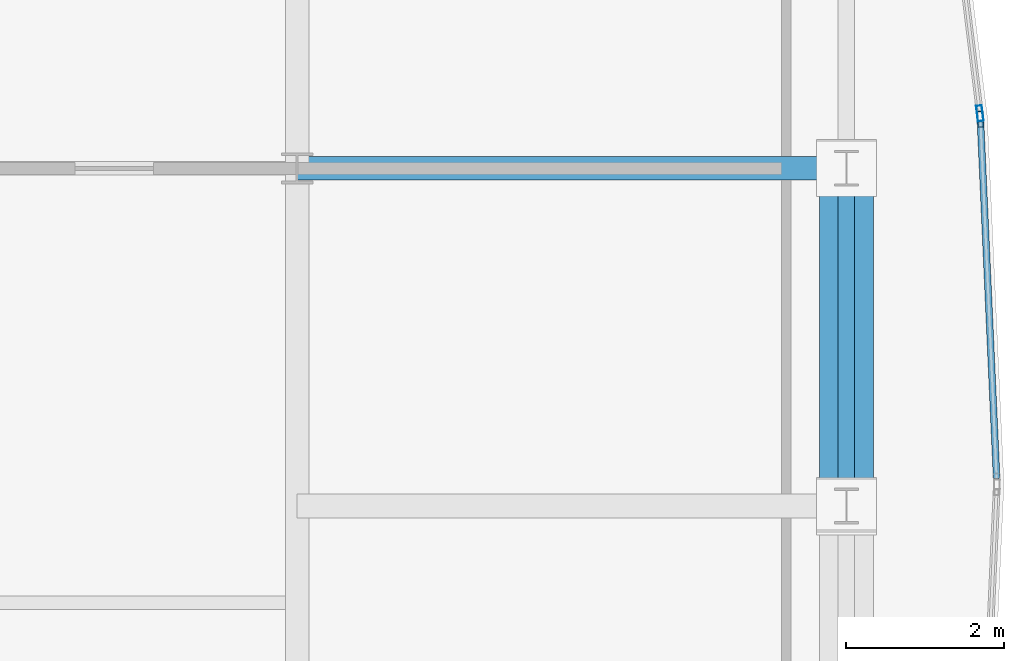
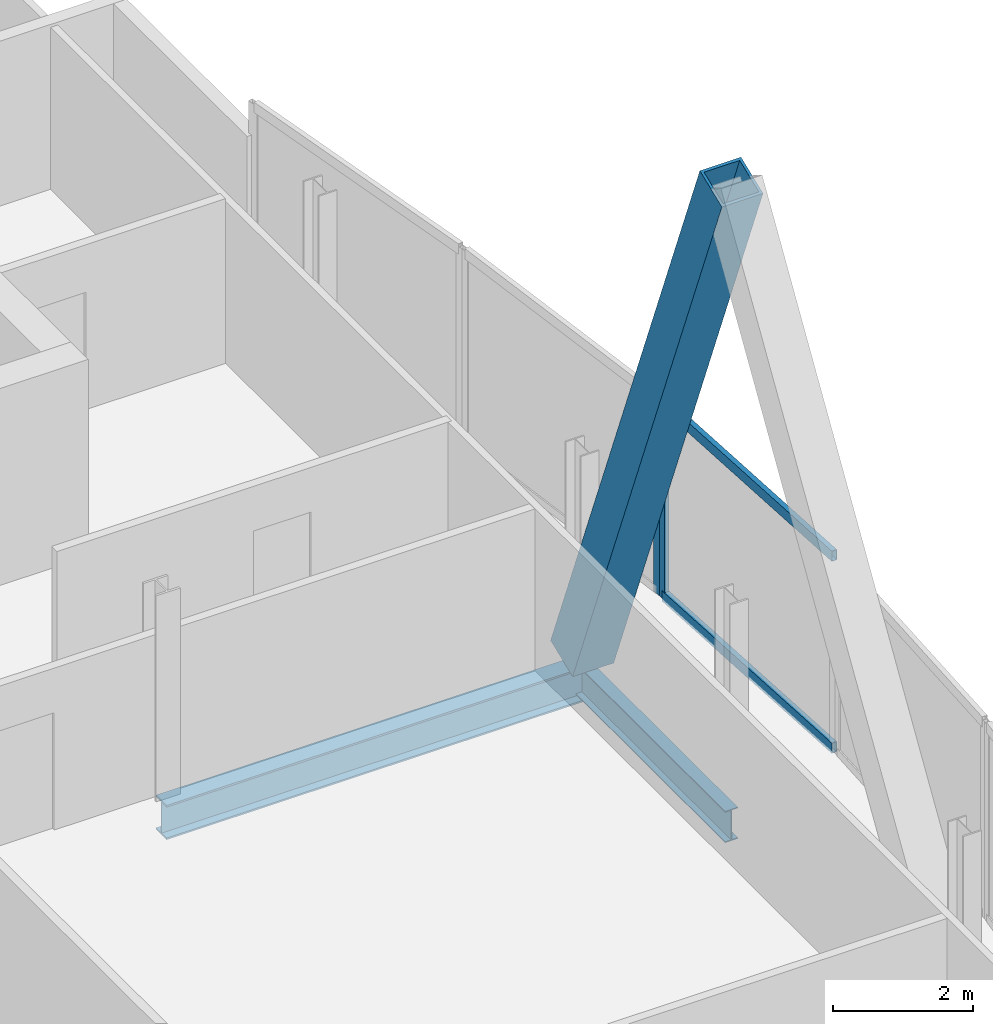
# One storey, part 18 of 29: 5 members, 2 beams, 2 elements without a shape of their own.
"""IFC4 building model written with IfcOpenShell, lengths in metres."""

from ifc_helpers import new_model, si_unit, direction, frame, origin, origin_2d, place, context, subcontext, project, spatial, hollow_rectangle, i_section, extrude, material, material_profile, profile_set, type_object, element, aggregate, save


model = new_model("IFC4")

# Units and contexts
model_context = context("Model", 3, precision=1e-05, world=origin(), true_north=direction((0.0, 1.0)))
body_context = subcontext(model_context, "Body", "Model", "MODEL_VIEW")
ifc_project = project(units=[si_unit("LENGTHUNIT", "METRE"), si_unit("AREAUNIT", "SQUARE_METRE"), si_unit("VOLUMEUNIT", "CUBIC_METRE"), si_unit("PLANEANGLEUNIT", "RADIAN"), si_unit("MASSUNIT", "GRAM", prefix="KILO")], contexts=[model_context])

# Site, building, storey
site_placement = place(None, origin())
site = spatial("IfcSite", under=ifc_project, at=site_placement, CompositionType="ELEMENT")
building_placement = place(site_placement, origin())
building = spatial("IfcBuilding", under=site, at=building_placement, Name="Khoronbel Lancet Exchange", CompositionType="ELEMENT")
storey_placement = place(building_placement, frame((0.0, 0.0, 336.199951171875)))
storey = spatial("IfcBuildingStorey", under=building, at=storey_placement, Name="L87", CompositionType="ELEMENT", Elevation=336.199951171875)

# Beams
ifc_material_1 = material(Name="Steel S355", Category="steel")
ifc_material_profile_1 = material_profile(ifc_material_1, i_section(OverallWidth=0.300048828125, OverallDepth=0.60009765625, WebThickness=0.015380859375, FlangeThickness=0.030029296875, at=origin_2d()), Name="HEB 600")
ifc_profile_set_1 = profile_set([ifc_material_profile_1], Name="Steel S355")
beam_type_1 = type_object("IfcBeamType", Name="BM-BG5", PredefinedType="BEAM", material=ifc_profile_set_1)
beam_1_placement = place(storey_placement, frame((54.675048828125, 35.699951171875, -0.4599609375), z_axis=(1.0, 0.0, 0.0), x_axis=(0.0, 1.0, 0.0)))
element("IfcBeam", 1, at=beam_1_placement, inside=storey, type_object=beam_type_1, Name="Level L87 east lens tie girder LG4E", PredefinedType="BEAM", context=body_context, shape_type="SweptSolid", body=[
    extrude(i_section(OverallWidth=0.300048828125, OverallDepth=0.60009765625, WebThickness=0.015380859375, FlangeThickness=0.030029296875, at=origin_2d()), origin(), (0.0, 0.0, 1.0), 6.954833984375),
])
ifc_material_profile_2 = material_profile(ifc_material_1, i_section(OverallWidth=0.2099609375, OverallDepth=0.550048828125, WebThickness=0.010986328125, FlangeThickness=0.01708984375, at=origin_2d()), Name="IPE 550")
ifc_profile_set_2 = profile_set([ifc_material_profile_2], Name="Steel S355")
beam_type_2 = type_object("IfcBeamType", Name="BM-BSP3", PredefinedType="SPANDREL", material=ifc_profile_set_2)
beam_2_placement = place(storey_placement, frame((61.6298828125, 31.425048828125, -0.43505859375), z_axis=(0.0, 1.0, 0.0), x_axis=(-1.0, 0.0, 0.0)))
element("IfcBeam", 2, at=beam_2_placement, inside=storey, type_object=beam_type_2, Name="Level L87 perimeter spandrel beam SP11", PredefinedType="SPANDREL", context=body_context, shape_type="SweptSolid", body=[
    extrude(i_section(OverallWidth=0.2099609375, OverallDepth=0.550048828125, WebThickness=0.010986328125, FlangeThickness=0.01708984375, at=origin_2d()), origin(), (0.0, 0.0, 1.0), 4.27490234375),
])

# Curtain wall, member
ifc_material_2 = material(Name="Low-E Solar Control Insulating Glass", Category="glass")
curtain_wall_type = type_object("IfcCurtainWallType", Name="CW-4", PredefinedType="NOTDEFINED", material=ifc_material_2)
curtain_wall_1_placement = place(storey_placement, origin())
curtain_wall_1 = element("IfcCurtainWall", 3, at=curtain_wall_1_placement, inside=storey, type_object=curtain_wall_type, Name="Unitised curtain wall CW-L87-E18", PredefinedType="NOTDEFINED")
ifc_material_3 = material(Name="Bronze-Anodised Aluminium 6063-T6", Category="aluminium")
ifc_material_profile_3 = material_profile(ifc_material_3, hollow_rectangle(XDim=0.074951171875, YDim=0.199951171875, WallThickness=0.0048828125, at=origin_2d()), Name="ALU MULLION 75x200")
ifc_profile_set_3 = profile_set([ifc_material_profile_3], Name="Bronze-Anodised Aluminium 6063-T6")
member_type_1 = type_object("IfcMemberType", Name="MEM-CWM2", PredefinedType="MULLION", material=ifc_profile_set_3)
member_1_placement = place(storey_placement, frame((63.319580078125, 36.396240234375, 0.0), z_axis=(0.0, 0.0, 1.0), x_axis=(0.992456344352, 0.122598550384, 0.0)))
member_1 = element("IfcMember", 4, at=member_1_placement, type_object=member_type_1, Name="CW4 mullion 2", PredefinedType="MULLION", context=body_context, shape_type="SweptSolid", body=[
    extrude(hollow_rectangle(XDim=0.074951171875, YDim=0.199951171875, WallThickness=0.0048828125, at=origin_2d()), origin(), (0.0, 0.0, 1.0), 3.43994140625),
])
aggregate(curtain_wall_1, [member_1])

# Curtain wall, members
curtain_wall_2_placement = place(storey_placement, origin())
curtain_wall_2 = element("IfcCurtainWall", 5, at=curtain_wall_2_placement, inside=storey, type_object=curtain_wall_type, Name="Unitised curtain wall CW-L87-E19", PredefinedType="NOTDEFINED")
member_2_placement = place(storey_placement, frame((63.325927734375, 36.321533203125, 0.0), z_axis=(0.0, 0.0, 1.0), x_axis=(0.998978991195, 0.04517715298, 0.0)))
member_2 = element("IfcMember", 6, at=member_2_placement, type_object=member_type_1, Name="CW4 mullion 1", PredefinedType="MULLION", context=body_context, shape_type="SweptSolid", body=[
    extrude(hollow_rectangle(XDim=0.074951171875, YDim=0.199951171875, WallThickness=0.0048828125, at=origin_2d()), origin(), (0.0, 0.0, 1.0), 3.43994140625),
])
ifc_material_profile_4 = material_profile(ifc_material_3, hollow_rectangle(XDim=0.0849609375, YDim=0.179931640625, WallThickness=0.0048828125, at=origin_2d()), Name="ALU TRANSOM 85x180")
ifc_profile_set_4 = profile_set([ifc_material_profile_4], Name="Bronze-Anodised Aluminium 6063-T6")
member_type_2 = type_object("IfcMemberType", Name="MEM-CWT1", PredefinedType="USERDEFINED", material=ifc_profile_set_4)
member_3_placement = place(storey_placement, frame((63.32763671875, 36.2841796875, 0.04248046875), z_axis=(0.045162318232, -0.998979661961, 0.0), x_axis=(0.998979661961, 0.045162318232, 0.0)))
member_3 = element("IfcMember", 7, at=member_3_placement, type_object=member_type_2, Name="CW4 transom 1.1", ObjectType="TRANSOM", PredefinedType="USERDEFINED", context=body_context, shape_type="SweptSolid", body=[
    extrude(hollow_rectangle(XDim=0.0849609375, YDim=0.179931640625, WallThickness=0.0048828125, at=origin_2d()), origin(), (0.0, 0.0, 1.0), 4.513916015625),
])
member_4_placement = place(storey_placement, frame((63.32763671875, 36.2841796875, 3.3974609375), z_axis=(0.045162318232, -0.998979661961, 0.0), x_axis=(0.998979661961, 0.045162318232, 0.0)))
member_4 = element("IfcMember", 8, at=member_4_placement, type_object=member_type_2, Name="CW4 transom 1.2", ObjectType="TRANSOM", PredefinedType="USERDEFINED", context=body_context, shape_type="SweptSolid", body=[
    extrude(hollow_rectangle(XDim=0.0849609375, YDim=0.179931640625, WallThickness=0.0048828125, at=origin_2d()), origin(), (0.0, 0.0, 1.0), 4.513916015625),
])
aggregate(curtain_wall_2, [member_2, member_3, member_4])

# Member
ifc_material_4 = material(Name="Steel S460", Category="steel")
ifc_material_profile_5 = material_profile(ifc_material_4, hollow_rectangle(XDim=0.679931640625, YDim=0.679931640625, WallThickness=0.044921875, at=origin_2d()), Name="BOX 680x680x45")
ifc_profile_set_5 = profile_set([ifc_material_profile_5], Name="Steel S460")
member_type_3 = type_object("IfcMemberType", Name="MEM-MB3", PredefinedType="BRACE", material=ifc_profile_set_5)
member_5_placement = place(storey_placement, frame((61.6298828125, 35.699951171875, 0.0), z_axis=(0.0, -0.368039743753, 0.929810059646), x_axis=(1.0, 0.0, 0.0)))
element("IfcMember", 9, at=member_5_placement, inside=storey, type_object=member_type_3, Name="Perimeter lancet brace tier 30 E-P-R", PredefinedType="BRACE", context=body_context, shape_type="SweptSolid", body=[
    extrude(hollow_rectangle(XDim=0.679931640625, YDim=0.679931640625, WallThickness=0.044921875, at=origin_2d()), origin(), (0.0, 0.0, 1.0), 11.615234375),
])

save(model, "model.ifc")
